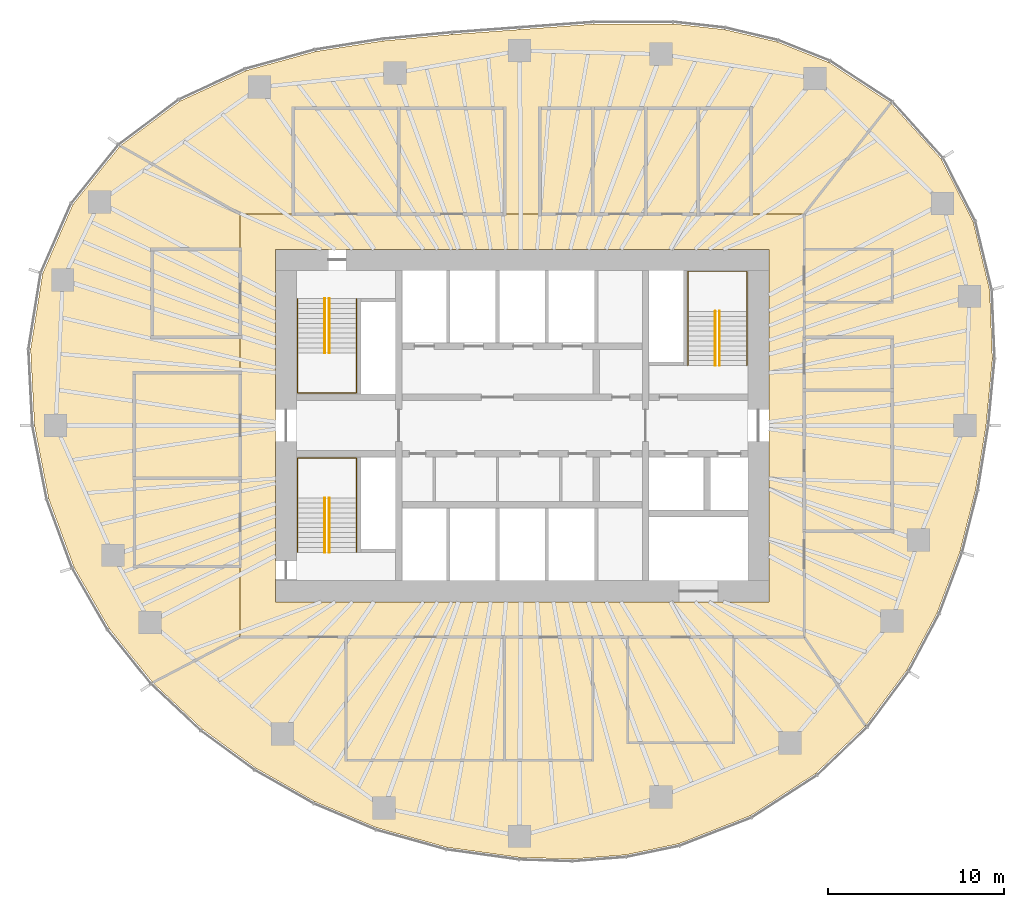
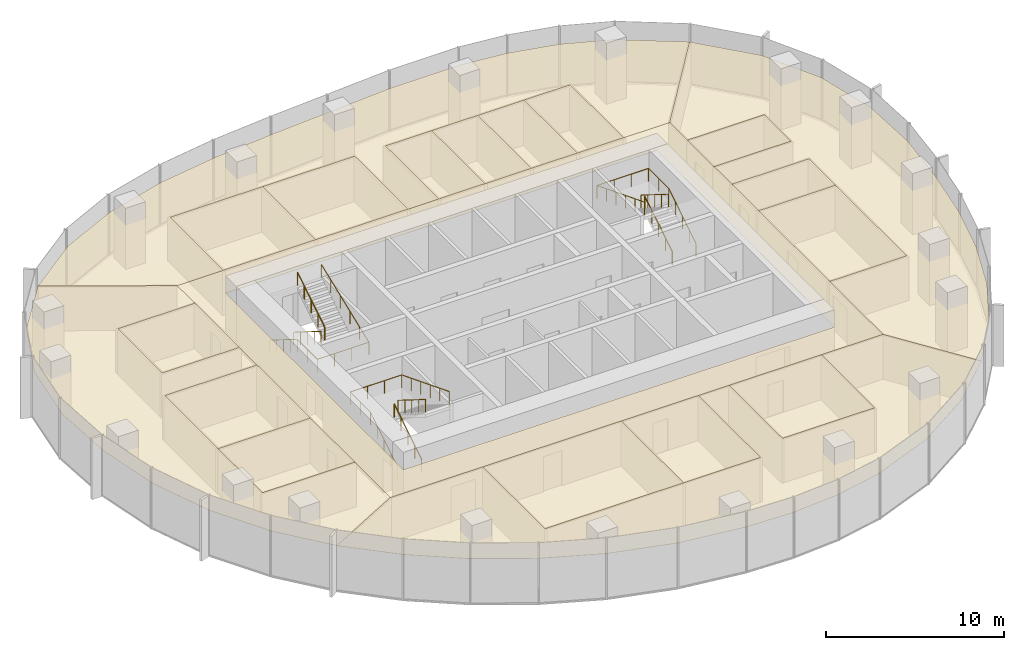
# One storey, part 11 of 11: 20 coverings, 9 railings.
"""IFC4 building model written with IfcOpenShell, lengths in metres."""

from ifc_helpers import new_model, si_unit, direction, frame, origin, origin_2d, place, context, subcontext, project, spatial, polyline, circle, outline, extrude, material, layer, layer_set, type_object, element, save


model = new_model("IFC4")

# Units and contexts
model_context = context("Model", 3, precision=1e-05, world=origin(), true_north=direction((0.0, 1.0)))
body_context = subcontext(model_context, "Body", "Model", "MODEL_VIEW")
ifc_project = project(units=[si_unit("LENGTHUNIT", "METRE"), si_unit("AREAUNIT", "SQUARE_METRE"), si_unit("VOLUMEUNIT", "CUBIC_METRE"), si_unit("PLANEANGLEUNIT", "RADIAN"), si_unit("MASSUNIT", "GRAM", prefix="KILO")], contexts=[model_context])

# Site, building, storey
site_placement = place(None, origin())
site = spatial("IfcSite", under=ifc_project, at=site_placement, CompositionType="ELEMENT")
building_placement = place(site_placement, origin())
building = spatial("IfcBuilding", under=site, at=building_placement, Name="Ghaith Harvest Tower", CompositionType="ELEMENT")
storey_placement = place(building_placement, frame((0.0, 0.0, 215.800048828125)))
storey = spatial("IfcBuildingStorey", under=building, at=storey_placement, Name="L47", CompositionType="ELEMENT", Elevation=215.800048828125)

# Coverings
ifc_material_1 = material(Name="Mineral fibre ceiling tile", Category="gypsum")
ifc_layer = layer(ifc_material_1, 0.02001953125)
ifc_layer_set = layer_set([ifc_layer], Name="CEILING C1")
covering_type = type_object("IfcCoveringType", Name="CEILING C1", PredefinedType="CEILING", material=ifc_layer_set)
covering_1_placement = place(storey_placement, frame((0.0, 0.0, 3.0)))
element("IfcCovering", 1, at=covering_1_placement, inside=storey, type_object=covering_type, Name="Ceiling L47-01", PredefinedType="CEILING", context=body_context, shape_type="SweptSolid", body=[
    extrude(outline(polyline([(-13.0, 12.0), (-7.0, 12.0), (-7.0, 18.0), (-13.0, 18.0), (-13.0, 12.0)])), origin(), (0.0, 0.0, 1.0), 0.02001953125),
])
covering_2_placement = place(storey_placement, frame((0.0, 0.0, 3.0)))
element("IfcCovering", 2, at=covering_2_placement, inside=storey, type_object=covering_type, Name="Ceiling L47-02", PredefinedType="CEILING", context=body_context, shape_type="SweptSolid", body=[
    extrude(outline(polyline([(-7.0, 12.0), (-1.0, 12.0), (-1.0, 18.0), (-7.0, 18.0), (-7.0, 12.0)])), origin(), (0.0, 0.0, 1.0), 0.02001953125),
])
covering_3_placement = place(storey_placement, frame((0.0, 0.0, 3.0)))
element("IfcCovering", 3, at=covering_3_placement, inside=storey, type_object=covering_type, Name="Ceiling L47-03", PredefinedType="CEILING", context=body_context, shape_type="SweptSolid", body=[
    extrude(outline(polyline([(1.0, 12.0), (4.0, 12.0), (4.0, 18.0), (1.0, 18.0), (1.0, 12.0)])), origin(), (0.0, 0.0, 1.0), 0.02001953125),
])
covering_4_placement = place(storey_placement, frame((0.0, 0.0, 3.0)))
element("IfcCovering", 4, at=covering_4_placement, inside=storey, type_object=covering_type, Name="Ceiling L47-04", PredefinedType="CEILING", context=body_context, shape_type="SweptSolid", body=[
    extrude(outline(polyline([(4.0, 12.0), (7.0, 12.0), (7.0, 18.0), (4.0, 18.0), (4.0, 12.0)])), origin(), (0.0, 0.0, 1.0), 0.02001953125),
])
covering_5_placement = place(storey_placement, frame((0.0, 0.0, 3.0)))
element("IfcCovering", 5, at=covering_5_placement, inside=storey, type_object=covering_type, Name="Ceiling L47-05", PredefinedType="CEILING", context=body_context, shape_type="SweptSolid", body=[
    extrude(outline(polyline([(7.0, 12.0), (10.0, 12.0), (10.0, 18.0), (7.0, 18.0), (7.0, 12.0)])), origin(), (0.0, 0.0, 1.0), 0.02001953125),
])
covering_6_placement = place(storey_placement, frame((0.0, 0.0, 3.0)))
element("IfcCovering", 6, at=covering_6_placement, inside=storey, type_object=covering_type, Name="Ceiling L47-06", PredefinedType="CEILING", context=body_context, shape_type="SweptSolid", body=[
    extrude(outline(polyline([(10.0, 12.0), (13.0, 12.0), (13.0, 18.0), (10.0, 18.0), (10.0, 12.0)])), origin(), (0.0, 0.0, 1.0), 0.02001953125),
])
covering_7_placement = place(storey_placement, frame((0.0, 0.0, 3.0)))
element("IfcCovering", 7, at=covering_7_placement, inside=storey, type_object=covering_type, Name="Ceiling L47-07", PredefinedType="CEILING", context=body_context, shape_type="SweptSolid", body=[
    extrude(outline(polyline([(-10.0, -19.0), (-1.0, -19.0), (-1.0, -12.0), (-10.0, -12.0), (-10.0, -19.0)])), origin(), (0.0, 0.0, 1.0), 0.02001953125),
])
covering_8_placement = place(storey_placement, frame((0.0, 0.0, 3.0)))
element("IfcCovering", 8, at=covering_8_placement, inside=storey, type_object=covering_type, Name="Ceiling L47-08", PredefinedType="CEILING", context=body_context, shape_type="SweptSolid", body=[
    extrude(outline(polyline([(-1.0, -19.0), (4.0, -19.0), (4.0, -12.0), (-1.0, -12.0), (-1.0, -19.0)])), origin(), (0.0, 0.0, 1.0), 0.02001953125),
])
covering_9_placement = place(storey_placement, frame((0.0, 0.0, 3.0)))
element("IfcCovering", 9, at=covering_9_placement, inside=storey, type_object=covering_type, Name="Ceiling L47-09", PredefinedType="CEILING", context=body_context, shape_type="SweptSolid", body=[
    extrude(outline(polyline([(6.0, -18.0), (12.0, -18.0), (12.0, -12.0), (6.0, -12.0), (6.0, -18.0)])), origin(), (0.0, 0.0, 1.0), 0.02001953125),
])
covering_10_placement = place(storey_placement, frame((0.0, 0.0, 3.0)))
element("IfcCovering", 10, at=covering_10_placement, inside=storey, type_object=covering_type, Name="Ceiling L47-10", PredefinedType="CEILING", context=body_context, shape_type="SweptSolid", body=[
    extrude(outline(polyline([(16.0, -6.0), (21.0, -6.0), (21.0, 2.0), (16.0, 2.0), (16.0, -6.0)])), origin(), (0.0, 0.0, 1.0), 0.02001953125),
])
covering_11_placement = place(storey_placement, frame((0.0, 0.0, 3.0)))
element("IfcCovering", 11, at=covering_11_placement, inside=storey, type_object=covering_type, Name="Ceiling L47-11", PredefinedType="CEILING", context=body_context, shape_type="SweptSolid", body=[
    extrude(outline(polyline([(16.0, 2.0), (21.0, 2.0), (21.0, 5.0), (16.0, 5.0), (16.0, 2.0)])), origin(), (0.0, 0.0, 1.0), 0.02001953125),
])
covering_12_placement = place(storey_placement, frame((0.0, 0.0, 3.0)))
element("IfcCovering", 12, at=covering_12_placement, inside=storey, type_object=covering_type, Name="Ceiling L47-12", PredefinedType="CEILING", context=body_context, shape_type="SweptSolid", body=[
    extrude(outline(polyline([(-22.0, -8.0), (-16.0, -8.0), (-16.0, -3.0), (-22.0, -3.0), (-22.0, -8.0)])), origin(), (0.0, 0.0, 1.0), 0.02001953125),
])
covering_13_placement = place(storey_placement, frame((0.0, 0.0, 3.0)))
element("IfcCovering", 13, at=covering_13_placement, inside=storey, type_object=covering_type, Name="Ceiling L47-13", PredefinedType="CEILING", context=body_context, shape_type="SweptSolid", body=[
    extrude(outline(polyline([(-22.0, -3.0), (-16.0, -3.0), (-16.0, 3.0), (-22.0, 3.0), (-22.0, -3.0)])), origin(), (0.0, 0.0, 1.0), 0.02001953125),
])
covering_14_placement = place(storey_placement, frame((0.0, 0.0, 3.0)))
element("IfcCovering", 14, at=covering_14_placement, inside=storey, type_object=covering_type, Name="Ceiling L47-14", PredefinedType="CEILING", context=body_context, shape_type="SweptSolid", body=[
    extrude(outline(polyline([(16.0, 7.0), (21.0, 7.0), (21.0, 10.0), (16.0, 10.0), (16.0, 7.0)])), origin(), (0.0, 0.0, 1.0), 0.02001953125),
])
covering_15_placement = place(storey_placement, frame((0.0, 0.0, 3.0)))
element("IfcCovering", 15, at=covering_15_placement, inside=storey, type_object=covering_type, Name="Ceiling L47-15", PredefinedType="CEILING", context=body_context, shape_type="SweptSolid", body=[
    extrude(outline(polyline([(-21.0, 5.0), (-16.0, 5.0), (-16.0, 10.0), (-21.0, 10.0), (-21.0, 5.0)])), origin(), (0.0, 0.0, 1.0), 0.02001953125),
])
covering_16_placement = place(storey_placement, frame((0.0, 0.0, 3.0)))
element("IfcCovering", 16, at=covering_16_placement, inside=storey, type_object=covering_type, Name="Ceiling L47-C1", PredefinedType="CEILING", context=body_context, shape_type="SweptSolid", body=[
    extrude(outline(polyline([(-16.0, 12.0), (16.0, 12.0), (16.0, -12.0), (-16.0, -12.0), (-16.0, 12.0)]), holes=[polyline([(14.0, -10.0), (14.0, 10.0), (-14.0, 10.0), (-14.0, -10.0), (14.0, -10.0)])]), origin(), (0.0, 0.0, 1.0), 0.02001953125),
])
covering_17_placement = place(storey_placement, frame((0.0, 0.0, 3.0)))
element("IfcCovering", 17, at=covering_17_placement, inside=storey, type_object=covering_type, Name="Ceiling L47-N1", PredefinedType="CEILING", context=body_context, shape_type="SweptSolid", body=[
    extrude(outline(polyline([(-19.408203125, 18.41650390625), (-15.6474609375, 20.147705078125), (-11.694580078125, 21.2314453125), (-7.8837890625, 21.827880859375), (-3.963134765625, 22.192138671875), (-0.15380859375, 22.470458984375), (4.03857421875, 22.78125), (8.522216796875, 22.796875), (11.47265625, 22.47265625), (14.460693359375, 21.771484375), (17.382080078125, 20.612548828125), (20.923095703125, 18.295166015625), (16.0, 12.0), (13.0, 12.0), (13.0, 18.0), (1.0, 18.0), (1.0, 12.0), (-1.0, 12.0), (-1.0, 18.0), (-13.0, 18.0), (-13.0, 12.0), (-16.0, 12.0), (-22.809814453125, 15.87109375), (-19.408203125, 18.41650390625)])), origin(), (0.0, 0.0, 1.0), 0.02001953125),
])
covering_18_placement = place(storey_placement, frame((0.0, 0.0, 3.0)))
element("IfcCovering", 18, at=covering_18_placement, inside=storey, type_object=covering_type, Name="Ceiling L47-E1", PredefinedType="CEILING", context=body_context, shape_type="SweptSolid", body=[
    extrude(outline(polyline([(23.77294921875, 15.12939453125), (25.597900390625, 11.55615234375), (26.531005859375, 7.668212890625), (26.685791015625, 3.779052734375), (26.324951171875, 0.0), (25.734375, -3.644287109375), (24.840576171875, -7.179443359375), (23.548828125, -10.631103515625), (21.821533203125, -13.887451171875), (19.48388671875, -17.036865234375), (16.0, -12.0), (16.0, -6.0), (21.0, -6.0), (21.0, 5.0), (16.0, 5.0), (16.0, 7.0), (21.0, 7.0), (21.0, 10.0), (16.0, 10.0), (16.0, 12.0), (20.923095703125, 18.295166015625), (23.77294921875, 15.12939453125)])), origin(), (0.0, 0.0, 1.0), 0.02001953125),
])
covering_19_placement = place(storey_placement, frame((0.0, 0.0, 3.0)))
element("IfcCovering", 19, at=covering_19_placement, inside=storey, type_object=covering_type, Name="Ceiling L47-S1", PredefinedType="CEILING", context=body_context, shape_type="SweptSolid", body=[
    extrude(outline(polyline([(16.651611328125, -19.746337890625), (12.949462890625, -22.1435546875), (8.8740234375, -23.73779296875), (5.865234375, -24.3662109375), (2.833984375, -24.602294921875), (-0.167724609375, -24.505126953125), (-4.27490234375, -23.9375), (-8.2451171875, -22.82861328125), (-11.75732421875, -21.345703125), (-15.10400390625, -19.447998046875), (-18.15087890625, -17.223388671875), (-20.963134765625, -14.586181640625), (-16.0, -12.0), (-10.0, -12.0), (-10.0, -19.0), (4.0, -19.0), (4.0, -12.0), (6.0, -12.0), (6.0, -18.0), (12.0, -18.0), (12.0, -12.0), (16.0, -12.0), (19.48388671875, -17.036865234375), (16.651611328125, -19.746337890625)])), origin(), (0.0, 0.0, 1.0), 0.02001953125),
])
covering_20_placement = place(storey_placement, frame((0.0, 0.0, 3.0)))
element("IfcCovering", 20, at=covering_20_placement, inside=storey, type_object=covering_type, Name="Ceiling L47-W1", PredefinedType="CEILING", context=body_context, shape_type="SweptSolid", body=[
    extrude(outline(polyline([(-23.425537109375, -11.530517578125), (-25.424072265625, -8.057373046875), (-26.86669921875, -4.155517578125), (-27.675048828125, 0.0), (-27.897216796875, 4.314697265625), (-27.211181640625, 8.623779296875), (-25.491943359375, 12.547607421875), (-22.809814453125, 15.87109375), (-16.0, 12.0), (-16.0, 10.0), (-21.0, 10.0), (-21.0, 5.0), (-16.0, 5.0), (-16.0, 3.0), (-22.0, 3.0), (-22.0, -8.0), (-16.0, -8.0), (-16.0, -12.0), (-20.963134765625, -14.586181640625), (-23.425537109375, -11.530517578125)])), origin(), (0.0, 0.0, 1.0), 0.02001953125),
])

# Railings
ifc_material_2 = material(Name="Steel, black powder-coated", Category="steel")
railing_type = type_object("IfcRailingType", Name="HANDRAIL HR1", PredefinedType="HANDRAIL", material=ifc_material_2)
railing_1_placement = place(storey_placement, frame((-11.199951171875, 7.199951171875, 0.175048828125)))
element("IfcRailing", 21, at=railing_1_placement, inside=storey, type_object=railing_type, Name="Handrail HR1 stair ST1 L47 flight 1 inner", PredefinedType="HANDRAIL", context=body_context, shape_type="SweptSolid", body=[
    extrude(circle(Radius=0.02392578125, at=origin_2d()), frame((0.0, 0.0, 0.8759765625), z_axis=(0.0, -0.848009633417, 0.529980812513), x_axis=(1.0, 0.0, 0.0)), (0.0, 0.0, 1.0), 3.6318359375),
    extrude(circle(Radius=0.02099609375, at=origin_2d()), origin(), (0.0, 0.0, 1.0), 0.851806640625),
    extrude(circle(Radius=0.02099609375, at=origin_2d()), frame((0.0, -0.77001953125, 0.481201171875)), (0.0, 0.0, 1.0), 0.851806640625),
    extrude(circle(Radius=0.02099609375, at=origin_2d()), frame((0.0, -1.5400390625, 0.96240234375)), (0.0, 0.0, 1.0), 0.851806640625),
    extrude(circle(Radius=0.02099609375, at=origin_2d()), frame((0.0, -2.309814453125, 1.443603515625)), (0.0, 0.0, 1.0), 0.851806640625),
    extrude(circle(Radius=0.02099609375, at=origin_2d()), frame((0.0, -3.079833984375, 1.9248046875)), (0.0, 0.0, 1.0), 0.851806640625),
])
railing_2_placement = place(storey_placement, frame((-10.949951171875, 4.1201171875, 2.27490234375)))
element("IfcRailing", 22, at=railing_2_placement, inside=storey, type_object=railing_type, Name="Handrail HR1 stair ST1 L47 flight 2 inner", PredefinedType="HANDRAIL", context=body_context, shape_type="SweptSolid", body=[
    extrude(circle(Radius=0.02392578125, at=origin_2d()), frame((0.0, 0.0, 0.8759765625), z_axis=(0.0, 0.847979421464, 0.530029150871), x_axis=(-1.0, 0.0, 0.0)), (0.0, 0.0, 1.0), 3.632080078125),
    extrude(circle(Radius=0.02099609375, at=origin_2d()), origin(), (0.0, 0.0, 1.0), 0.851806640625),
    extrude(circle(Radius=0.02099609375, at=origin_2d()), frame((0.0, 0.77001953125, 0.481201171875)), (0.0, 0.0, 1.0), 0.851806640625),
    extrude(circle(Radius=0.02099609375, at=origin_2d()), frame((0.0, 1.5400390625, 0.96240234375)), (0.0, 0.0, 1.0), 0.851806640625),
    extrude(circle(Radius=0.02099609375, at=origin_2d()), frame((0.0, 2.309814453125, 1.44384765625)), (0.0, 0.0, 1.0), 0.851806640625),
    extrude(circle(Radius=0.02099609375, at=origin_2d()), frame((0.0, 3.079833984375, 1.925048828125)), (0.0, 0.0, 1.0), 0.851806640625),
])
railing_3_placement = place(storey_placement, frame((-12.75, 7.199951171875, 0.175048828125)))
element("IfcRailing", 23, at=railing_3_placement, inside=storey, type_object=railing_type, Name="Handrail HR1 stair ST1 L47 wall side", PredefinedType="HANDRAIL", context=body_context, shape_type="SweptSolid", body=[
    extrude(circle(Radius=0.02392578125, at=origin_2d()), frame((0.0, 0.0, 0.8759765625), z_axis=(0.0, -0.848009633417, 0.529980812513), x_axis=(1.0, 0.0, 0.0)), (0.0, 0.0, 1.0), 3.6318359375),
    extrude(circle(Radius=0.02392578125, at=origin_2d()), frame((0.0, -3.079833984375, 2.80078125), z_axis=(0.0, -1.0, 0.0), x_axis=(1.0, 0.0, 0.0)), (0.0, 0.0, 1.0), 2.27001953125),
    extrude(circle(Radius=0.02392578125, at=origin_2d()), frame((0.0, -5.349853515625, 2.80078125), z_axis=(1.0, 0.0, 0.0), x_axis=(0.0, 1.0, 0.0)), (0.0, 0.0, 1.0), 3.35009765625),
    extrude(circle(Radius=0.02392578125, at=origin_2d()), frame((3.35009765625, -5.349853515625, 2.80078125), z_axis=(0.0, 0.930848013298, 0.36540659017), x_axis=(-1.0, 0.0, 0.0)), (0.0, 0.0, 1.0), 5.747314453125),
    extrude(circle(Radius=0.02099609375, at=origin_2d()), origin(), (0.0, 0.0, 1.0), 0.851806640625),
    extrude(circle(Radius=0.02099609375, at=origin_2d()), frame((0.0, -0.77001953125, 0.481201171875)), (0.0, 0.0, 1.0), 0.851806640625),
    extrude(circle(Radius=0.02099609375, at=origin_2d()), frame((0.0, -1.5400390625, 0.96240234375)), (0.0, 0.0, 1.0), 0.851806640625),
    extrude(circle(Radius=0.02099609375, at=origin_2d()), frame((0.0, -2.309814453125, 1.443603515625)), (0.0, 0.0, 1.0), 0.851806640625),
    extrude(circle(Radius=0.02099609375, at=origin_2d()), frame((0.0, -3.079833984375, 1.9248046875)), (0.0, 0.0, 1.0), 0.851806640625),
    extrude(circle(Radius=0.02099609375, at=origin_2d()), frame((0.0, -4.21484375, 1.9248046875)), (0.0, 0.0, 1.0), 0.851806640625),
    extrude(circle(Radius=0.02099609375, at=origin_2d()), frame((0.0, -5.349853515625, 1.9248046875)), (0.0, 0.0, 1.0), 0.851806640625),
    extrude(circle(Radius=0.02099609375, at=origin_2d()), frame((1.11669921875, -5.349853515625, 1.9248046875)), (0.0, 0.0, 1.0), 0.851806640625),
    extrude(circle(Radius=0.02099609375, at=origin_2d()), frame((2.2333984375, -5.349853515625, 1.9248046875)), (0.0, 0.0, 1.0), 0.851806640625),
    extrude(circle(Radius=0.02099609375, at=origin_2d()), frame((3.35009765625, -5.349853515625, 1.9248046875)), (0.0, 0.0, 1.0), 0.851806640625),
    extrude(circle(Radius=0.02099609375, at=origin_2d()), frame((3.35009765625, -4.27978515625, 2.3447265625)), (0.0, 0.0, 1.0), 0.851806640625),
    extrude(circle(Radius=0.02099609375, at=origin_2d()), frame((3.35009765625, -3.2099609375, 2.764892578125)), (0.0, 0.0, 1.0), 0.851806640625),
    extrude(circle(Radius=0.02099609375, at=origin_2d()), frame((3.35009765625, -2.139892578125, 3.184814453125)), (0.0, 0.0, 1.0), 0.851806640625),
    extrude(circle(Radius=0.02099609375, at=origin_2d()), frame((3.35009765625, -1.070068359375, 3.60498046875)), (0.0, 0.0, 1.0), 0.851806640625),
    extrude(circle(Radius=0.02099609375, at=origin_2d()), frame((3.35009765625, 0.0, 4.02490234375)), (0.0, 0.0, 1.0), 0.851806640625),
])
railing_4_placement = place(storey_placement, frame((-11.199951171875, -7.199951171875, 0.175048828125)))
element("IfcRailing", 24, at=railing_4_placement, inside=storey, type_object=railing_type, Name="Handrail HR1 stair ST3 L47 flight 1 inner", PredefinedType="HANDRAIL", context=body_context, shape_type="SweptSolid", body=[
    extrude(circle(Radius=0.02392578125, at=origin_2d()), frame((0.0, 0.0, 0.8759765625), z_axis=(0.0, 0.848009633417, 0.529980812513), x_axis=(-1.0, 0.0, 0.0)), (0.0, 0.0, 1.0), 3.6318359375),
    extrude(circle(Radius=0.02099609375, at=origin_2d()), origin(), (0.0, 0.0, 1.0), 0.851806640625),
    extrude(circle(Radius=0.02099609375, at=origin_2d()), frame((0.0, 0.77001953125, 0.481201171875)), (0.0, 0.0, 1.0), 0.851806640625),
    extrude(circle(Radius=0.02099609375, at=origin_2d()), frame((0.0, 1.5400390625, 0.96240234375)), (0.0, 0.0, 1.0), 0.851806640625),
    extrude(circle(Radius=0.02099609375, at=origin_2d()), frame((0.0, 2.309814453125, 1.443603515625)), (0.0, 0.0, 1.0), 0.851806640625),
    extrude(circle(Radius=0.02099609375, at=origin_2d()), frame((0.0, 3.079833984375, 1.9248046875)), (0.0, 0.0, 1.0), 0.851806640625),
])
railing_5_placement = place(storey_placement, frame((-10.949951171875, -4.1201171875, 2.27490234375)))
element("IfcRailing", 25, at=railing_5_placement, inside=storey, type_object=railing_type, Name="Handrail HR1 stair ST3 L47 flight 2 inner", PredefinedType="HANDRAIL", context=body_context, shape_type="SweptSolid", body=[
    extrude(circle(Radius=0.02392578125, at=origin_2d()), frame((0.0, 0.0, 0.8759765625), z_axis=(0.0, -0.847979421464, 0.530029150871), x_axis=(1.0, 0.0, 0.0)), (0.0, 0.0, 1.0), 3.632080078125),
    extrude(circle(Radius=0.02099609375, at=origin_2d()), origin(), (0.0, 0.0, 1.0), 0.851806640625),
    extrude(circle(Radius=0.02099609375, at=origin_2d()), frame((0.0, -0.77001953125, 0.481201171875)), (0.0, 0.0, 1.0), 0.851806640625),
    extrude(circle(Radius=0.02099609375, at=origin_2d()), frame((0.0, -1.5400390625, 0.96240234375)), (0.0, 0.0, 1.0), 0.851806640625),
    extrude(circle(Radius=0.02099609375, at=origin_2d()), frame((0.0, -2.309814453125, 1.44384765625)), (0.0, 0.0, 1.0), 0.851806640625),
    extrude(circle(Radius=0.02099609375, at=origin_2d()), frame((0.0, -3.079833984375, 1.925048828125)), (0.0, 0.0, 1.0), 0.851806640625),
])
railing_6_placement = place(storey_placement, frame((-12.75, -7.199951171875, 0.175048828125)))
element("IfcRailing", 26, at=railing_6_placement, inside=storey, type_object=railing_type, Name="Handrail HR1 stair ST3 L47 wall side", PredefinedType="HANDRAIL", context=body_context, shape_type="SweptSolid", body=[
    extrude(circle(Radius=0.02392578125, at=origin_2d()), frame((0.0, 0.0, 0.8759765625), z_axis=(0.0, 0.848009633417, 0.529980812513), x_axis=(-1.0, 0.0, 0.0)), (0.0, 0.0, 1.0), 3.6318359375),
    extrude(circle(Radius=0.02392578125, at=origin_2d()), frame((0.0, 3.079833984375, 2.80078125), z_axis=(0.0, 1.0, 0.0), x_axis=(-1.0, 0.0, 0.0)), (0.0, 0.0, 1.0), 2.27001953125),
    extrude(circle(Radius=0.02392578125, at=origin_2d()), frame((0.0, 5.349853515625, 2.80078125), z_axis=(1.0, 0.0, 0.0), x_axis=(0.0, 1.0, 0.0)), (0.0, 0.0, 1.0), 3.35009765625),
    extrude(circle(Radius=0.02392578125, at=origin_2d()), frame((3.35009765625, 5.349853515625, 2.80078125), z_axis=(0.0, -0.930848013298, 0.36540659017), x_axis=(1.0, 0.0, 0.0)), (0.0, 0.0, 1.0), 5.747314453125),
    extrude(circle(Radius=0.02099609375, at=origin_2d()), origin(), (0.0, 0.0, 1.0), 0.851806640625),
    extrude(circle(Radius=0.02099609375, at=origin_2d()), frame((0.0, 0.77001953125, 0.481201171875)), (0.0, 0.0, 1.0), 0.851806640625),
    extrude(circle(Radius=0.02099609375, at=origin_2d()), frame((0.0, 1.5400390625, 0.96240234375)), (0.0, 0.0, 1.0), 0.851806640625),
    extrude(circle(Radius=0.02099609375, at=origin_2d()), frame((0.0, 2.309814453125, 1.443603515625)), (0.0, 0.0, 1.0), 0.851806640625),
    extrude(circle(Radius=0.02099609375, at=origin_2d()), frame((0.0, 3.079833984375, 1.9248046875)), (0.0, 0.0, 1.0), 0.851806640625),
    extrude(circle(Radius=0.02099609375, at=origin_2d()), frame((0.0, 4.21484375, 1.9248046875)), (0.0, 0.0, 1.0), 0.851806640625),
    extrude(circle(Radius=0.02099609375, at=origin_2d()), frame((0.0, 5.349853515625, 1.9248046875)), (0.0, 0.0, 1.0), 0.851806640625),
    extrude(circle(Radius=0.02099609375, at=origin_2d()), frame((1.11669921875, 5.349853515625, 1.9248046875)), (0.0, 0.0, 1.0), 0.851806640625),
    extrude(circle(Radius=0.02099609375, at=origin_2d()), frame((2.2333984375, 5.349853515625, 1.9248046875)), (0.0, 0.0, 1.0), 0.851806640625),
    extrude(circle(Radius=0.02099609375, at=origin_2d()), frame((3.35009765625, 5.349853515625, 1.9248046875)), (0.0, 0.0, 1.0), 0.851806640625),
    extrude(circle(Radius=0.02099609375, at=origin_2d()), frame((3.35009765625, 4.27978515625, 2.3447265625)), (0.0, 0.0, 1.0), 0.851806640625),
    extrude(circle(Radius=0.02099609375, at=origin_2d()), frame((3.35009765625, 3.2099609375, 2.764892578125)), (0.0, 0.0, 1.0), 0.851806640625),
    extrude(circle(Radius=0.02099609375, at=origin_2d()), frame((3.35009765625, 2.139892578125, 3.184814453125)), (0.0, 0.0, 1.0), 0.851806640625),
    extrude(circle(Radius=0.02099609375, at=origin_2d()), frame((3.35009765625, 1.070068359375, 3.60498046875)), (0.0, 0.0, 1.0), 0.851806640625),
    extrude(circle(Radius=0.02099609375, at=origin_2d()), frame((3.35009765625, 0.0, 4.02490234375)), (0.0, 0.0, 1.0), 0.851806640625),
])
railing_7_placement = place(storey_placement, frame((11.199951171875, 3.39990234375, 0.175048828125)))
element("IfcRailing", 27, at=railing_7_placement, inside=storey, type_object=railing_type, Name="Handrail HR1 stair ST2 L47 flight 1 inner", PredefinedType="HANDRAIL", context=body_context, shape_type="SweptSolid", body=[
    extrude(circle(Radius=0.02392578125, at=origin_2d()), frame((0.0, 0.0, 0.8759765625), z_axis=(0.0, 0.848028513186, 0.529950602248), x_axis=(-1.0, 0.0, 0.0)), (0.0, 0.0, 1.0), 3.632080078125),
    extrude(circle(Radius=0.02099609375, at=origin_2d()), origin(), (0.0, 0.0, 1.0), 0.851806640625),
    extrude(circle(Radius=0.02099609375, at=origin_2d()), frame((0.0, 0.77001953125, 0.481201171875)), (0.0, 0.0, 1.0), 0.851806640625),
    extrude(circle(Radius=0.02099609375, at=origin_2d()), frame((0.0, 1.5400390625, 0.96240234375)), (0.0, 0.0, 1.0), 0.851806640625),
    extrude(circle(Radius=0.02099609375, at=origin_2d()), frame((0.0, 2.31005859375, 1.443603515625)), (0.0, 0.0, 1.0), 0.851806640625),
    extrude(circle(Radius=0.02099609375, at=origin_2d()), frame((0.0, 3.080078125, 1.9248046875)), (0.0, 0.0, 1.0), 0.851806640625),
])
railing_8_placement = place(storey_placement, frame((10.949951171875, 6.47998046875, 2.27490234375)))
element("IfcRailing", 28, at=railing_8_placement, inside=storey, type_object=railing_type, Name="Handrail HR1 stair ST2 L47 flight 2 inner", PredefinedType="HANDRAIL", context=body_context, shape_type="SweptSolid", body=[
    extrude(circle(Radius=0.02392578125, at=origin_2d()), frame((0.0, 0.0, 0.8759765625), z_axis=(0.0, -0.847998304005, 0.529998940003), x_axis=(1.0, 0.0, 0.0)), (0.0, 0.0, 1.0), 3.632080078125),
    extrude(circle(Radius=0.02099609375, at=origin_2d()), origin(), (0.0, 0.0, 1.0), 0.851806640625),
    extrude(circle(Radius=0.02099609375, at=origin_2d()), frame((0.0, -0.77001953125, 0.481201171875)), (0.0, 0.0, 1.0), 0.851806640625),
    extrude(circle(Radius=0.02099609375, at=origin_2d()), frame((0.0, -1.5400390625, 0.96240234375)), (0.0, 0.0, 1.0), 0.851806640625),
    extrude(circle(Radius=0.02099609375, at=origin_2d()), frame((0.0, -2.31005859375, 1.44384765625)), (0.0, 0.0, 1.0), 0.851806640625),
    extrude(circle(Radius=0.02099609375, at=origin_2d()), frame((0.0, -3.080078125, 1.925048828125)), (0.0, 0.0, 1.0), 0.851806640625),
])
railing_9_placement = place(storey_placement, frame((12.75, 3.39990234375, 0.175048828125)))
element("IfcRailing", 29, at=railing_9_placement, inside=storey, type_object=railing_type, Name="Handrail HR1 stair ST2 L47 wall side", PredefinedType="HANDRAIL", context=body_context, shape_type="SweptSolid", body=[
    extrude(circle(Radius=0.02392578125, at=origin_2d()), frame((0.0, 0.0, 0.8759765625), z_axis=(0.0, 0.848028513186, 0.529950602248), x_axis=(-1.0, 0.0, 0.0)), (0.0, 0.0, 1.0), 3.632080078125),
    extrude(circle(Radius=0.02392578125, at=origin_2d()), frame((0.0, 3.080078125, 2.80078125), z_axis=(0.0, 1.0, 0.0), x_axis=(-1.0, 0.0, 0.0)), (0.0, 0.0, 1.0), 2.27001953125),
    extrude(circle(Radius=0.02392578125, at=origin_2d()), frame((0.0, 5.35009765625, 2.80078125), z_axis=(-1.0, 0.0, 0.0), x_axis=(0.0, -1.0, 0.0)), (0.0, 0.0, 1.0), 3.35009765625),
    extrude(circle(Radius=0.02392578125, at=origin_2d()), frame((-3.35009765625, 5.35009765625, 2.80078125), z_axis=(0.0, -0.930853684876, 0.365392141887), x_axis=(1.0, 0.0, 0.0)), (0.0, 0.0, 1.0), 5.74755859375),
    extrude(circle(Radius=0.02099609375, at=origin_2d()), origin(), (0.0, 0.0, 1.0), 0.851806640625),
    extrude(circle(Radius=0.02099609375, at=origin_2d()), frame((0.0, 0.77001953125, 0.481201171875)), (0.0, 0.0, 1.0), 0.851806640625),
    extrude(circle(Radius=0.02099609375, at=origin_2d()), frame((0.0, 1.5400390625, 0.96240234375)), (0.0, 0.0, 1.0), 0.851806640625),
    extrude(circle(Radius=0.02099609375, at=origin_2d()), frame((0.0, 2.31005859375, 1.443603515625)), (0.0, 0.0, 1.0), 0.851806640625),
    extrude(circle(Radius=0.02099609375, at=origin_2d()), frame((0.0, 3.080078125, 1.9248046875)), (0.0, 0.0, 1.0), 0.851806640625),
    extrude(circle(Radius=0.02099609375, at=origin_2d()), frame((0.0, 4.215087890625, 1.9248046875)), (0.0, 0.0, 1.0), 0.851806640625),
    extrude(circle(Radius=0.02099609375, at=origin_2d()), frame((0.0, 5.35009765625, 1.9248046875)), (0.0, 0.0, 1.0), 0.851806640625),
    extrude(circle(Radius=0.02099609375, at=origin_2d()), frame((-1.11669921875, 5.35009765625, 1.9248046875)), (0.0, 0.0, 1.0), 0.851806640625),
    extrude(circle(Radius=0.02099609375, at=origin_2d()), frame((-2.2333984375, 5.35009765625, 1.9248046875)), (0.0, 0.0, 1.0), 0.851806640625),
    extrude(circle(Radius=0.02099609375, at=origin_2d()), frame((-3.35009765625, 5.35009765625, 1.9248046875)), (0.0, 0.0, 1.0), 0.851806640625),
    extrude(circle(Radius=0.02099609375, at=origin_2d()), frame((-3.35009765625, 4.280029296875, 2.3447265625)), (0.0, 0.0, 1.0), 0.851806640625),
    extrude(circle(Radius=0.02099609375, at=origin_2d()), frame((-3.35009765625, 3.2099609375, 2.764892578125)), (0.0, 0.0, 1.0), 0.851806640625),
    extrude(circle(Radius=0.02099609375, at=origin_2d()), frame((-3.35009765625, 2.14013671875, 3.184814453125)), (0.0, 0.0, 1.0), 0.851806640625),
    extrude(circle(Radius=0.02099609375, at=origin_2d()), frame((-3.35009765625, 1.070068359375, 3.60498046875)), (0.0, 0.0, 1.0), 0.851806640625),
    extrude(circle(Radius=0.02099609375, at=origin_2d()), frame((-3.35009765625, 0.0, 4.02490234375)), (0.0, 0.0, 1.0), 0.851806640625),
])

save(model, "model.ifc")
